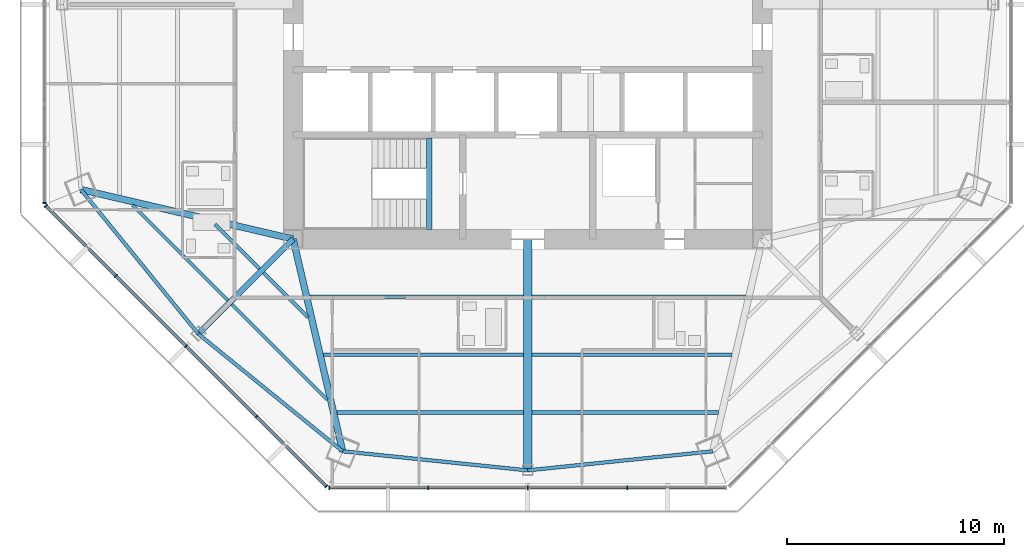
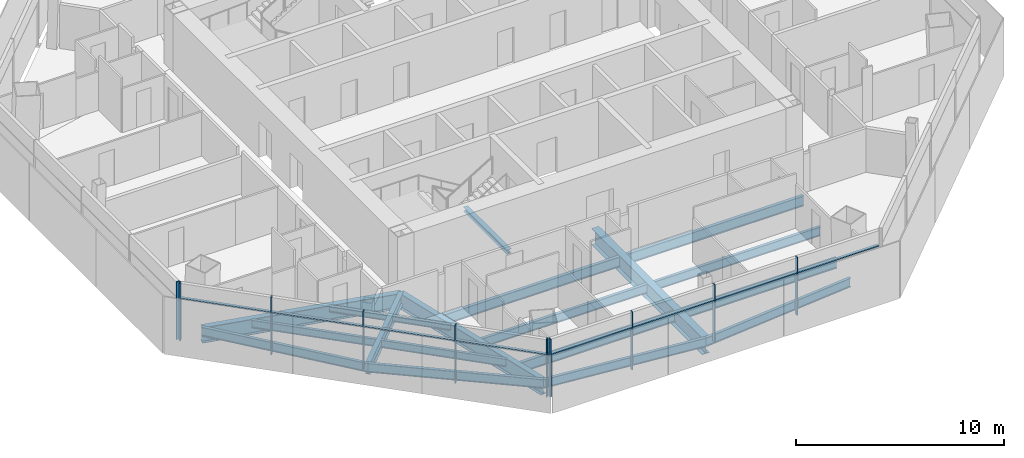
# One storey, part 2 of 15: 19 beams, 18 members, 3 elements without a shape of their own.
"""IFC4 building model written with IfcOpenShell, lengths in metres."""

from ifc_helpers import new_model, si_unit, direction, frame, origin, origin_2d, place, context, subcontext, project, spatial, rectangle, i_section, extrude, source, transform, mapped, material, material_profile, profile_set, type_object, type_shapes, element, aggregate, save


model = new_model("IFC4")

# Units and contexts
model_context = context("Model", 3, precision=1e-05, world=origin(), true_north=direction((0.0, 1.0)))
body_context = subcontext(model_context, "Body", "Model", "MODEL_VIEW")
ifc_project = project(units=[si_unit("LENGTHUNIT", "METRE"), si_unit("AREAUNIT", "SQUARE_METRE"), si_unit("VOLUMEUNIT", "CUBIC_METRE"), si_unit("PLANEANGLEUNIT", "RADIAN"), si_unit("MASSUNIT", "GRAM", prefix="KILO")], contexts=[model_context])

# Site, building, storey
site_placement = place(None, origin())
site = spatial("IfcSite", under=ifc_project, at=site_placement, CompositionType="ELEMENT")
building_placement = place(site_placement, origin())
building = spatial("IfcBuilding", under=site, at=building_placement, Name="Mashrafa Tower", CompositionType="ELEMENT")
storey_placement = place(building_placement, frame((0.0, 0.0, 204.0)))
storey = spatial("IfcBuildingStorey", under=building, at=storey_placement, Name="L46", CompositionType="ELEMENT", Elevation=204.0)

# Beams
ifc_material_1 = material(Name="Steel ASTM A992", Category="steel")
ifc_material_profile_1 = material_profile(ifc_material_1, i_section(OverallWidth=0.164794921875, OverallDepth=0.309814453125, WebThickness=0.005859375, FlangeThickness=0.009765625, FilletRadius=0.007568359375, at=origin_2d()), Name="W12X26")
ifc_profile_set_1 = profile_set([ifc_material_profile_1], Name="Steel ASTM A992")
beam_type_1 = type_object("IfcBeamType", Name="Beam W12X26", PredefinedType="BEAM", material=ifc_profile_set_1)
for number, where, z_axis, x_axis, name in (
    (1, (-12.345458984375, -12.166015625, -0.35498046875), (-0.707064622488, 0.707148937372, 0.0), (-0.707148937372, -0.707064622488, 0.0), "Floor beam L46 011"),
    (2, (-10.118408203125, -14.392822265625, -0.35498046875), (-0.707148937372, 0.707064622488, 0.0), (-0.707064622488, -0.707148937372, 0.0), "Floor beam L46 014"),
):
    element("IfcBeam", number, at=place(storey_placement, frame(where, z_axis=z_axis, x_axis=x_axis)), inside=storey, type_object=beam_type_1, Name=name, PredefinedType="BEAM", context=body_context, shape_type="SweptSolid", body=[
        extrude(i_section(OverallWidth=0.164794921875, OverallDepth=0.309814453125, WebThickness=0.005859375, FlangeThickness=0.009765625, FilletRadius=0.007568359375, at=origin_2d()), origin(), (0.0, 0.0, 1.0), 2.8955078125),
    ])
ifc_material_2 = material(Name="Steel ASTM A992", Category="steel")
ifc_material_profile_2 = material_profile(ifc_material_2, i_section(OverallWidth=0.15234375, OverallDepth=0.449462890625, WebThickness=0.007568359375, FlangeThickness=0.0107421875, FilletRadius=0.01025390625, at=origin_2d()), Name="W18X35")
ifc_profile_set_2 = profile_set([ifc_material_profile_2], Name="Steel ASTM A992")
beam_type_2 = type_object("IfcBeamType", Name="Beam W18X35", PredefinedType="BEAM", material=ifc_profile_set_2)
for number, where, z_axis, x_axis, name in (
    (3, (-13.80126953125, -13.62158203125, -0.4248046875), (-0.707106781187, 0.707106781187, 0.0), (-0.707106781187, -0.707106781187, 0.0), "Floor beam L46 007"),
    (4, (-9.23291015625, -18.18994140625, -0.4248046875), (-0.707106781187, 0.707106781187, 0.0), (-0.707106781187, -0.707106781187, 0.0), "Floor beam L46 016"),
):
    element("IfcBeam", number, at=place(storey_placement, frame(where, z_axis=z_axis, x_axis=x_axis)), inside=storey, type_object=beam_type_2, Name=name, PredefinedType="BEAM", context=body_context, shape_type="SweptSolid", body=[
        extrude(i_section(OverallWidth=0.15234375, OverallDepth=0.449462890625, WebThickness=0.007568359375, FlangeThickness=0.0107421875, FilletRadius=0.01025390625, at=origin_2d()), origin(), (0.0, 0.0, 1.0), 6.20654296875),
    ])
ifc_material_3 = material(Name="Steel ASTM A992", Category="steel")
ifc_material_profile_3 = material_profile(ifc_material_3, i_section(OverallWidth=0.1650390625, OverallDepth=0.52587890625, WebThickness=0.0087890625, FlangeThickness=0.011474609375, FilletRadius=0.0126953125, at=origin_2d()), Name="W21X44")
ifc_profile_set_3 = profile_set([ifc_material_profile_3], Name="Steel ASTM A992")
beam_type_3 = type_object("IfcBeamType", Name="Beam W21X44", PredefinedType="BEAM", material=ifc_profile_set_3)
for number, where, z_axis, x_axis, name in (
    (5, (-0.20068359375, -16.124755859375, -0.462890625), (-1.0, 0.0, 0.0), (0.0, -1.0, 0.0), "Floor beam L46 019"),
    (6, (9.401611328125, -16.124755859375, -0.462890625), (-1.0, 0.0, 0.0), (0.0, -1.0, 0.0), "Floor beam L46 026"),
):
    element("IfcBeam", number, at=place(storey_placement, frame(where, z_axis=z_axis, x_axis=x_axis)), inside=storey, type_object=beam_type_3, Name=name, PredefinedType="BEAM", context=body_context, shape_type="SweptSolid", body=[
        extrude(i_section(OverallWidth=0.1650390625, OverallDepth=0.52587890625, WebThickness=0.0087890625, FlangeThickness=0.011474609375, FilletRadius=0.0126953125, at=origin_2d()), origin(), (0.0, 0.0, 1.0), 9.200927734375),
    ])
for number, where, z_axis, x_axis, name in (
    (7, (-20.5712890625, -8.52099609375, -0.462890625), (0.630903741036, -0.775861114857, 0.0), (0.775861114857, 0.630903741036, 0.0), "Spandrel beam L46 058"),
    (8, (-15.1669921875, -15.1669921875, -0.462890625), (0.775861114857, -0.630903741036, 0.0), (0.630903741036, 0.775861114857, 0.0), "Spandrel beam L46 060"),
):
    element("IfcBeam", number, at=place(storey_placement, frame(where, z_axis=z_axis, x_axis=x_axis)), inside=storey, type_object=beam_type_3, Name=name, PredefinedType="BEAM", context=body_context, shape_type="SweptSolid", body=[
        extrude(i_section(OverallWidth=0.1650390625, OverallDepth=0.52587890625, WebThickness=0.0087890625, FlangeThickness=0.011474609375, FilletRadius=0.0126953125, at=origin_2d()), origin(), (0.0, 0.0, 1.0), 8.56591796875),
    ])
for number, where, z_axis, x_axis, name in (
    (9, (-8.52099609375, -20.5712890625, -0.462890625), (0.99473125256, -0.102516999469, 0.0), (0.102516999469, 0.99473125256, 0.0), "Spandrel beam L46 062"),
    (10, (0.0, -21.449462890625, -0.462890625), (0.99473125256, 0.102516999469, 0.0), (-0.102516999469, 0.99473125256, 0.0), "Spandrel beam L46 064"),
):
    element("IfcBeam", number, at=place(storey_placement, frame(where, z_axis=z_axis, x_axis=x_axis)), inside=storey, type_object=beam_type_3, Name=name, PredefinedType="BEAM", context=body_context, shape_type="SweptSolid", body=[
        extrude(i_section(OverallWidth=0.1650390625, OverallDepth=0.52587890625, WebThickness=0.0087890625, FlangeThickness=0.011474609375, FilletRadius=0.0126953125, at=origin_2d()), origin(), (0.0, 0.0, 1.0), 8.566162109375),
    ])
ifc_material_4 = material(Name="Steel ASTM A992", Category="steel")
ifc_material_profile_4 = material_profile(ifc_material_4, i_section(OverallWidth=0.177978515625, OverallDepth=0.599365234375, WebThickness=0.010009765625, FlangeThickness=0.012939453125, FilletRadius=0.012939453125, at=origin_2d()), Name="W24X55")
ifc_profile_set_4 = profile_set([ifc_material_profile_4], Name="Steel ASTM A992")
beam_type_4 = type_object("IfcBeamType", Name="Beam W24X55", PredefinedType="BEAM", material=ifc_profile_set_4)
beam_1_placement = place(storey_placement, frame((-0.20068359375, -18.787109375, -0.499755859375), z_axis=(-1.0, 0.0, 0.0), x_axis=(0.0, -1.0, 0.0)))
element("IfcBeam", 11, at=beam_1_placement, inside=storey, type_object=beam_type_4, Name="Floor beam L46 018", PredefinedType="BEAM", context=body_context, shape_type="SweptSolid", body=[
    extrude(i_section(OverallWidth=0.177978515625, OverallDepth=0.599365234375, WebThickness=0.010009765625, FlangeThickness=0.012939453125, FilletRadius=0.012939453125, at=origin_2d()), origin(), (0.0, 0.0, 1.0), 8.579833984375),
])
beam_2_placement = place(storey_placement, frame((-0.20068359375, -13.46240234375, -0.499755859375), z_axis=(-1.0, 0.0, 0.0), x_axis=(0.0, -1.0, 0.0)))
element("IfcBeam", 12, at=beam_2_placement, inside=storey, type_object=beam_type_4, Name="Floor beam L46 020", PredefinedType="BEAM", context=body_context, shape_type="SweptSolid", body=[
    extrude(i_section(OverallWidth=0.177978515625, OverallDepth=0.599365234375, WebThickness=0.010009765625, FlangeThickness=0.012939453125, FilletRadius=0.012939453125, at=origin_2d()), origin(), (0.0, 0.0, 1.0), 9.82177734375),
])
beam_3_placement = place(storey_placement, frame((8.780517578125, -18.787109375, -0.499755859375), z_axis=(-1.0, 0.0, 0.0), x_axis=(0.0, -1.0, 0.0)))
element("IfcBeam", 13, at=beam_3_placement, inside=storey, type_object=beam_type_4, Name="Floor beam L46 024", PredefinedType="BEAM", context=body_context, shape_type="SweptSolid", body=[
    extrude(i_section(OverallWidth=0.177978515625, OverallDepth=0.599365234375, WebThickness=0.010009765625, FlangeThickness=0.012939453125, FilletRadius=0.012939453125, at=origin_2d()), origin(), (0.0, 0.0, 1.0), 8.579833984375),
])
beam_4_placement = place(storey_placement, frame((10.0224609375, -13.46240234375, -0.499755859375), z_axis=(-1.0, 0.0, 0.0), x_axis=(0.0, -1.0, 0.0)))
element("IfcBeam", 14, at=beam_4_placement, inside=storey, type_object=beam_type_4, Name="Floor beam L46 028", PredefinedType="BEAM", context=body_context, shape_type="SweptSolid", body=[
    extrude(i_section(OverallWidth=0.177978515625, OverallDepth=0.599365234375, WebThickness=0.010009765625, FlangeThickness=0.012939453125, FilletRadius=0.012939453125, at=origin_2d()), origin(), (0.0, 0.0, 1.0), 9.82177734375),
])
ifc_material_5 = material(Name="Steel ASTM A992", Category="steel")
ifc_material_profile_5 = material_profile(ifc_material_5, i_section(OverallWidth=0.25390625, OverallDepth=0.67822265625, WebThickness=0.01171875, FlangeThickness=0.016357421875, FilletRadius=0.01513671875, at=origin_2d()), Name="W27X84")
ifc_profile_set_5 = profile_set([ifc_material_profile_5], Name="Steel ASTM A992")
beam_type_5 = type_object("IfcBeamType", Name="Beam W27X84", PredefinedType="BEAM", material=ifc_profile_set_5)
beam_5_placement = place(storey_placement, frame((-10.800048828125, -10.800048828125, -0.5390625), z_axis=(-0.707106781187, -0.707106781187, 0.0), x_axis=(0.707106781187, -0.707106781187, 0.0)))
element("IfcBeam", 15, at=beam_5_placement, inside=storey, type_object=beam_type_5, Name="Radial girder L46 042", PredefinedType="BEAM", context=body_context, shape_type="SweptSolid", body=[
    extrude(i_section(OverallWidth=0.25390625, OverallDepth=0.67822265625, WebThickness=0.01171875, FlangeThickness=0.016357421875, FilletRadius=0.01513671875, at=origin_2d()), origin(), (0.0, 0.0, 1.0), 6.17578125),
])
ifc_material_6 = material(Name="Steel ASTM A992", Category="steel")
ifc_material_profile_6 = material_profile(ifc_material_6, i_section(OverallWidth=0.3046875, OverallDepth=0.911865234375, WebThickness=0.015869140625, FlangeThickness=0.02392578125, FilletRadius=0.01904296875, at=origin_2d()), Name="W36X150")
ifc_profile_set_6 = profile_set([ifc_material_profile_6], Name="Steel ASTM A992")
beam_type_6 = type_object("IfcBeamType", Name="Beam W36X150", PredefinedType="BEAM", material=ifc_profile_set_6)
for number, where, z_axis, x_axis, name in (
    (16, (-10.800048828125, -10.800048828125, -0.656005859375), (-0.973861128424, 0.227144232912, 0.0), (-0.227144232912, -0.973861128424, 0.0), "Radial girder L46 041"),
    (17, (-10.800048828125, -10.800048828125, -0.656005859375), (0.227144232912, -0.973861128424, 0.0), (0.973861128424, 0.227144232912, 0.0), "Radial girder L46 043"),
):
    element("IfcBeam", number, at=place(storey_placement, frame(where, z_axis=z_axis, x_axis=x_axis)), inside=storey, type_object=beam_type_6, Name=name, PredefinedType="BEAM", context=body_context, shape_type="SweptSolid", body=[
        extrude(i_section(OverallWidth=0.3046875, OverallDepth=0.911865234375, WebThickness=0.015869140625, FlangeThickness=0.02392578125, FilletRadius=0.01904296875, at=origin_2d()), origin(), (0.0, 0.0, 1.0), 10.033447265625),
    ])
ifc_material_7 = material(Name="Steel ASTM A992", Category="steel")
ifc_material_profile_7 = material_profile(ifc_material_7, i_section(OverallWidth=0.4013671875, OverallDepth=0.98291015625, WebThickness=0.0166015625, FlangeThickness=0.027099609375, FilletRadius=0.0126953125, at=origin_2d()), Name="W40X199")
ifc_profile_set_7 = profile_set([ifc_material_profile_7], Name="Steel ASTM A992")
beam_type_7 = type_object("IfcBeamType", Name="Beam W40X199", PredefinedType="BEAM", material=ifc_profile_set_7)
beam_6_placement = place(storey_placement, frame((0.0, -10.800048828125, -0.69140625), z_axis=(0.0, -1.0, 0.0), x_axis=(1.0, 0.0, 0.0)))
element("IfcBeam", 18, at=beam_6_placement, inside=storey, type_object=beam_type_7, Name="Radial girder L46 048", PredefinedType="BEAM", context=body_context, shape_type="SweptSolid", body=[
    extrude(i_section(OverallWidth=0.4013671875, OverallDepth=0.98291015625, WebThickness=0.0166015625, FlangeThickness=0.027099609375, FilletRadius=0.0126953125, at=origin_2d()), origin(), (0.0, 0.0, 1.0), 10.6494140625),
])
ifc_material_8 = material(Name="Steel ASTM A992", Category="steel")
ifc_material_profile_8 = material_profile(ifc_material_8, i_section(OverallWidth=0.25390625, OverallDepth=0.25390625, WebThickness=0.008544921875, FlangeThickness=0.01416015625, FilletRadius=0.010009765625, at=origin_2d()), Name="W10X49")
ifc_profile_set_8 = profile_set([ifc_material_profile_8], Name="Steel ASTM A992")
beam_type_8 = type_object("IfcBeamType", Name="Hoistway beam W10X49", PredefinedType="BEAM", material=ifc_profile_set_8)
beam_7_placement = place(storey_placement, frame((-4.530029296875, -10.35009765625, -0.326904296875), z_axis=(0.0, 1.0, 0.0), x_axis=(-1.0, 0.0, 0.0)))
element("IfcBeam", 19, at=beam_7_placement, inside=storey, type_object=beam_type_8, Name="Stair S3 landing beam L46", PredefinedType="BEAM", context=body_context, shape_type="SweptSolid", body=[
    extrude(i_section(OverallWidth=0.25390625, OverallDepth=0.25390625, WebThickness=0.008544921875, FlangeThickness=0.01416015625, FilletRadius=0.010009765625, at=origin_2d()), origin(), (0.0, 0.0, 1.0), 4.2001953125),
])

# Curtain wall, member
ifc_material_9 = material(Name="Unitised aluminium curtain wall", Category="aluminium")
curtain_wall_type = type_object("IfcCurtainWallType", Name="Apartment curtain wall, zone 3 CW-C 180 deep", PredefinedType="NOTDEFINED", material=ifc_material_9)
curtain_wall_1_placement = place(storey_placement, origin())
curtain_wall_1 = element("IfcCurtainWall", 20, at=curtain_wall_1_placement, inside=storey, type_object=curtain_wall_type, Name="Apartment curtain wall, zone 3 L46 west", PredefinedType="NOTDEFINED")
ifc_material_10 = material(Name="Extruded aluminium mullion", Category="aluminium")
ifc_material_profile_9 = material_profile(ifc_material_10, rectangle(XDim=0.179931640625, YDim=0.06005859375, at=origin_2d()), Name="Mullion 60x180")
ifc_profile_set_9 = profile_set([ifc_material_profile_9], Name="Extruded aluminium mullion")
member_type_1 = type_object("IfcMemberType", Name="Mullion CW-C 60 x 180", PredefinedType="MULLION", material=ifc_profile_set_9)
shared_shape_1 = source(origin(), body_context, "Body", "SweptSolid", [
    extrude(rectangle(XDim=0.179931640625, YDim=0.06005859375, at=origin_2d()), origin(), (0.0, 0.0, 1.0), 3.39990234375),
])
type_shapes(member_type_1, [shared_shape_1])
member_1_placement = place(storey_placement, frame((-22.243896484375, -9.136474609375, 0.0), z_axis=(0.0, 0.0, 1.0), x_axis=(1.0, 0.0, 0.0)))
member_1 = element("IfcMember", 21, at=member_1_placement, type_object=member_type_1, Name="CW-C mullion 5", PredefinedType="MULLION", context=body_context, shape_type="MappedRepresentation", body=[
    mapped(shared_shape_1, transform((0.0, 0.0, 0.0))),
])
aggregate(curtain_wall_1, [member_1])

# Curtain wall, members
curtain_wall_2_placement = place(storey_placement, origin())
curtain_wall_2 = element("IfcCurtainWall", 22, at=curtain_wall_2_placement, inside=storey, type_object=curtain_wall_type, Name="Apartment curtain wall, zone 3 L46 south-west", PredefinedType="NOTDEFINED")
member_2_placement = place(storey_placement, frame((-22.189208984375, -9.268310546875, 0.0), z_axis=(0.0, 0.0, 1.0), x_axis=(0.707106781187, 0.707106781187, 0.0)))
member_2 = element("IfcMember", 23, at=member_2_placement, type_object=member_type_1, Name="CW-C mullion 1", PredefinedType="MULLION", context=body_context, shape_type="MappedRepresentation", body=[
    mapped(shared_shape_1, transform((0.0, 0.0, 0.0))),
])
member_3_placement = place(storey_placement, frame((-18.969482421875, -12.488037109375, 0.0), z_axis=(0.0, 0.0, 1.0), x_axis=(0.707106781187, 0.707106781187, 0.0)))
member_3 = element("IfcMember", 24, at=member_3_placement, type_object=member_type_1, Name="CW-C mullion 2", PredefinedType="MULLION", context=body_context, shape_type="MappedRepresentation", body=[
    mapped(shared_shape_1, transform((0.0, 0.0, 0.0))),
])
member_4_placement = place(storey_placement, frame((-15.728759765625, -15.728759765625, 0.0), z_axis=(0.0, 0.0, 1.0), x_axis=(0.707106781187, 0.707106781187, 0.0)))
member_4 = element("IfcMember", 25, at=member_4_placement, type_object=member_type_1, Name="CW-C mullion 3", PredefinedType="MULLION", context=body_context, shape_type="MappedRepresentation", body=[
    mapped(shared_shape_1, transform((0.0, 0.0, 0.0))),
])
member_5_placement = place(storey_placement, frame((-12.488037109375, -18.969482421875, 0.0), z_axis=(0.0, 0.0, 1.0), x_axis=(0.707106781187, 0.707106781187, 0.0)))
member_5 = element("IfcMember", 26, at=member_5_placement, type_object=member_type_1, Name="CW-C mullion 4", PredefinedType="MULLION", context=body_context, shape_type="MappedRepresentation", body=[
    mapped(shared_shape_1, transform((0.0, 0.0, 0.0))),
])
member_6_placement = place(storey_placement, frame((-9.268310546875, -22.189208984375, 0.0), z_axis=(0.0, 0.0, 1.0), x_axis=(0.707106781187, 0.707106781187, 0.0)))
member_6 = element("IfcMember", 27, at=member_6_placement, type_object=member_type_1, Name="CW-C mullion 5", PredefinedType="MULLION", context=body_context, shape_type="MappedRepresentation", body=[
    mapped(shared_shape_1, transform((0.0, 0.0, 0.0))),
])

curtain_wall_3_placement = place(storey_placement, origin())
curtain_wall_3 = element("IfcCurtainWall", 28, at=curtain_wall_3_placement, inside=storey, type_object=curtain_wall_type, Name="Apartment curtain wall, zone 3 L46 south", PredefinedType="NOTDEFINED")
member_7_placement = place(storey_placement, frame((-9.136474609375, -22.243896484375, 0.0), z_axis=(0.0, 0.0, 1.0), x_axis=(0.0, 1.0, 0.0)))
member_7 = element("IfcMember", 29, at=member_7_placement, type_object=member_type_1, Name="CW-C mullion 1", PredefinedType="MULLION", context=body_context, shape_type="MappedRepresentation", body=[
    mapped(shared_shape_1, transform((0.0, 0.0, 0.0))),
])
member_8_placement = place(storey_placement, frame((-4.583251953125, -22.243896484375, 0.0), z_axis=(0.0, 0.0, 1.0), x_axis=(0.0, 1.0, 0.0)))
member_8 = element("IfcMember", 30, at=member_8_placement, type_object=member_type_1, Name="CW-C mullion 2", PredefinedType="MULLION", context=body_context, shape_type="MappedRepresentation", body=[
    mapped(shared_shape_1, transform((0.0, 0.0, 0.0))),
])
member_9_placement = place(storey_placement, frame((0.0, -22.243896484375, 0.0), z_axis=(0.0, 0.0, 1.0), x_axis=(0.0, 1.0, 0.0)))
member_9 = element("IfcMember", 31, at=member_9_placement, type_object=member_type_1, Name="CW-C mullion 3", PredefinedType="MULLION", context=body_context, shape_type="MappedRepresentation", body=[
    mapped(shared_shape_1, transform((0.0, 0.0, 0.0))),
])
member_10_placement = place(storey_placement, frame((4.583251953125, -22.243896484375, 0.0), z_axis=(0.0, 0.0, 1.0), x_axis=(0.0, 1.0, 0.0)))
member_10 = element("IfcMember", 32, at=member_10_placement, type_object=member_type_1, Name="CW-C mullion 4", PredefinedType="MULLION", context=body_context, shape_type="MappedRepresentation", body=[
    mapped(shared_shape_1, transform((0.0, 0.0, 0.0))),
])
ifc_material_11 = material(Name="Extruded aluminium transom", Category="aluminium")
ifc_material_profile_10 = material_profile(ifc_material_11, rectangle(XDim=0.14404296875, YDim=0.074951171875, at=origin_2d()), Name="Transom 75x144")
ifc_profile_set_10 = profile_set([ifc_material_profile_10], Name="Extruded aluminium transom")
member_type_2 = type_object("IfcMemberType", Name="Transom CW-C 75 x 144", PredefinedType="MULLION", material=ifc_profile_set_10)
shared_shape_2 = source(origin(), body_context, "Body", "SweptSolid", [
    extrude(rectangle(XDim=0.14404296875, YDim=0.074951171875, at=origin_2d()), origin(), (0.0, 0.0, 1.0), 4.4931640625),
])
member_11_placement = place(storey_placement, frame((-9.1064453125, -22.243896484375, 2.5), z_axis=(1.0, 0.0, 0.0), x_axis=(0.0, 1.0, 0.0)))
member_11 = element("IfcMember", 33, at=member_11_placement, type_object=member_type_2, Name="CW-C transom 1", PredefinedType="MULLION", context=body_context, shape_type="MappedRepresentation", body=[
    mapped(shared_shape_2, transform((0.0, 0.0, 0.0))),
])
member_12_placement = place(storey_placement, frame((4.61328125, -22.243896484375, 2.5), z_axis=(1.0, 0.0, 0.0), x_axis=(0.0, 1.0, 0.0)))
member_12 = element("IfcMember", 34, at=member_12_placement, type_object=member_type_2, Name="CW-C transom 4", PredefinedType="MULLION", context=body_context, shape_type="MappedRepresentation", body=[
    mapped(shared_shape_2, transform((0.0, 0.0, 0.0))),
])

# Member
shared_shape_3 = source(origin(), body_context, "Body", "SweptSolid", [
    extrude(rectangle(XDim=0.14404296875, YDim=0.074951171875, at=origin_2d()), origin(), (0.0, 0.0, 1.0), 4.523193359375),
])
member_13_placement = place(storey_placement, frame((-18.948486328125, -12.50927734375, 2.5), z_axis=(0.70713376845, -0.707079792893, 0.0), x_axis=(0.707079792893, 0.70713376845, 0.0)))
member_13 = element("IfcMember", 35, at=member_13_placement, type_object=member_type_2, Name="CW-C transom 2", PredefinedType="MULLION", context=body_context, shape_type="MappedRepresentation", body=[
    mapped(shared_shape_3, transform((0.0, 0.0, 0.0))),
])

member_14_placement = place(storey_placement, frame((-15.70751953125, -15.75, 2.5), z_axis=(0.707079792893, -0.70713376845, 0.0), x_axis=(0.70713376845, 0.707079792893, 0.0)))
member_14 = element("IfcMember", 36, at=member_14_placement, type_object=member_type_2, Name="CW-C transom 3", PredefinedType="MULLION", context=body_context, shape_type="MappedRepresentation", body=[
    mapped(shared_shape_3, transform((0.0, 0.0, 0.0))),
])

member_15_placement = place(storey_placement, frame((-4.55322265625, -22.243896484375, 2.5), z_axis=(1.0, 0.0, 0.0), x_axis=(0.0, 1.0, 0.0)))
member_15 = element("IfcMember", 37, at=member_15_placement, type_object=member_type_2, Name="CW-C transom 2", PredefinedType="MULLION", context=body_context, shape_type="MappedRepresentation", body=[
    mapped(shared_shape_3, transform((0.0, 0.0, 0.0))),
])

member_16_placement = place(storey_placement, frame((0.030029296875, -22.243896484375, 2.5), z_axis=(1.0, 0.0, 0.0), x_axis=(0.0, 1.0, 0.0)))
member_16 = element("IfcMember", 38, at=member_16_placement, type_object=member_type_2, Name="CW-C transom 3", PredefinedType="MULLION", context=body_context, shape_type="MappedRepresentation", body=[
    mapped(shared_shape_3, transform((0.0, 0.0, 0.0))),
])

aggregate(curtain_wall_3, [member_7, member_8, member_9, member_10, member_11, member_15, member_16, member_12])

shared_shape_4 = source(origin(), body_context, "Body", "SweptSolid", [
    extrude(rectangle(XDim=0.14404296875, YDim=0.074951171875, at=origin_2d()), origin(), (0.0, 0.0, 1.0), 4.493408203125),
])
type_shapes(member_type_2, [shared_shape_2, shared_shape_3, shared_shape_4])
member_17_placement = place(storey_placement, frame((-22.16796875, -9.28955078125, 2.5), z_axis=(0.707106781187, -0.707106781187, 0.0), x_axis=(0.707106781187, 0.707106781187, 0.0)))
member_17 = element("IfcMember", 39, at=member_17_placement, type_object=member_type_2, Name="CW-C transom 1", PredefinedType="MULLION", context=body_context, shape_type="MappedRepresentation", body=[
    mapped(shared_shape_4, transform((0.0, 0.0, 0.0))),
])

member_18_placement = place(storey_placement, frame((-12.466796875, -18.99072265625, 2.5), z_axis=(0.707106781187, -0.707106781187, 0.0), x_axis=(0.707106781187, 0.707106781187, 0.0)))
member_18 = element("IfcMember", 40, at=member_18_placement, type_object=member_type_2, Name="CW-C transom 4", PredefinedType="MULLION", context=body_context, shape_type="MappedRepresentation", body=[
    mapped(shared_shape_4, transform((0.0, 0.0, 0.0))),
])

aggregate(curtain_wall_2, [member_2, member_3, member_4, member_5, member_6, member_17, member_13, member_14, member_18])

save(model, "model.ifc")
